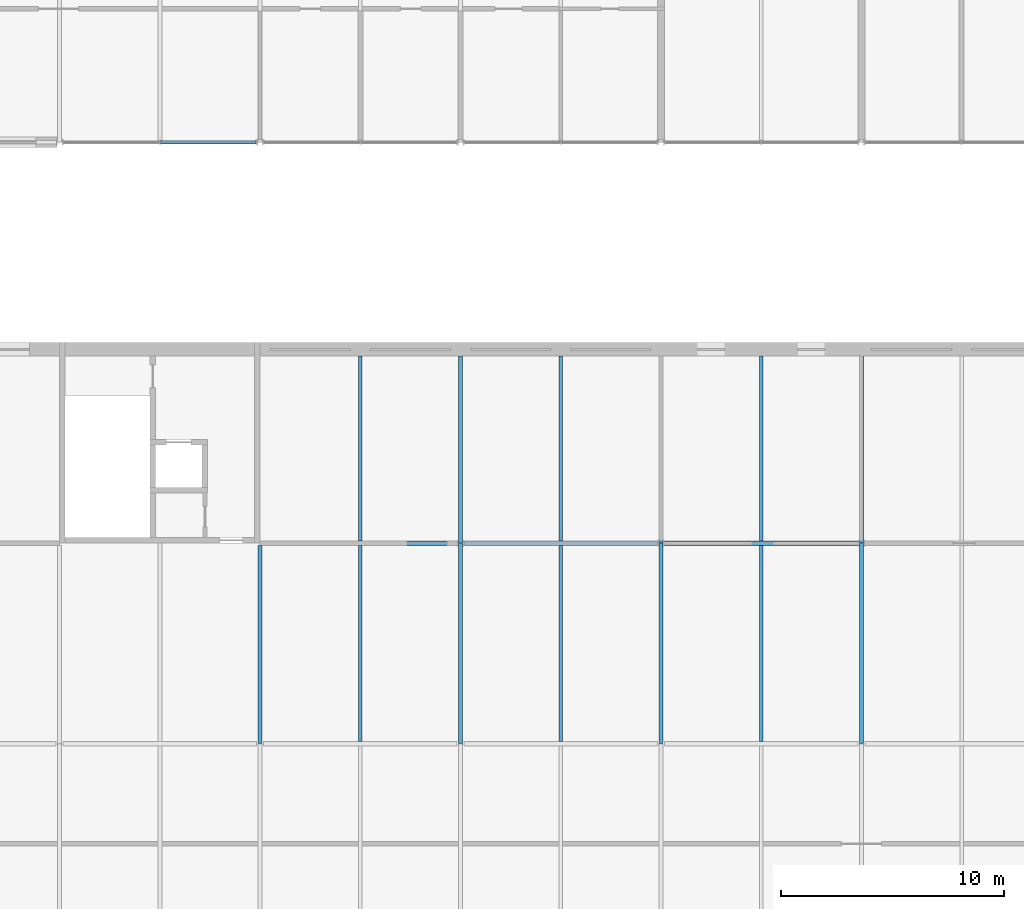
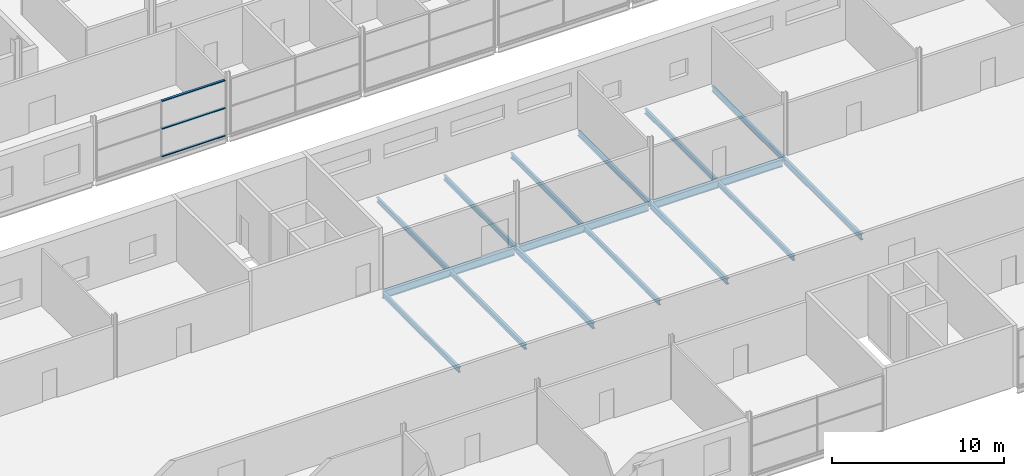
# One storey, part 62 of 138: 16 beams, 3 members, 1 element without a shape of its own.
"""IFC4 building model written with IfcOpenShell, lengths in metres."""

from ifc_helpers import new_model, si_unit, direction, frame, origin, origin_2d, place, context, subcontext, project, spatial, rectangle, i_section, extrude, material, layer, layer_set, material_profile, profile_set, type_object, element, aggregate, save


model = new_model("IFC4")

# Units and contexts
model_context = context("Model", 3, precision=1e-05, world=origin(), true_north=direction((0.0, 1.0)))
body_context = subcontext(model_context, "Body", "Model", "MODEL_VIEW")
ifc_project = project(units=[si_unit("LENGTHUNIT", "METRE"), si_unit("AREAUNIT", "SQUARE_METRE"), si_unit("VOLUMEUNIT", "CUBIC_METRE"), si_unit("PLANEANGLEUNIT", "RADIAN"), si_unit("MASSUNIT", "GRAM", prefix="KILO")], contexts=[model_context])

# Site, building, storey
site_placement = place(None, origin())
site = spatial("IfcSite", under=ifc_project, at=site_placement, CompositionType="ELEMENT")
building_placement = place(site_placement, origin())
building = spatial("IfcBuilding", under=site, at=building_placement, Name="Corbel Yard City Hall", CompositionType="ELEMENT")
storey_placement = place(building_placement, frame((0.0, 0.0, 10.5)))
storey = spatial("IfcBuildingStorey", under=building, at=storey_placement, Name="L02", CompositionType="ELEMENT", Elevation=10.5)

# Beams
ifc_material_1 = material(Name="Steel Grade 300 (300 MPa yield)", Category="steel")
ifc_material_profile_1 = material_profile(ifc_material_1, i_section(OverallWidth=0.1708984375, OverallDepth=0.35205078125, WebThickness=0.0068359375, FlangeThickness=0.009765625, at=origin_2d()), Name="360UB44.7")
ifc_profile_set_1 = profile_set([ifc_material_profile_1], Name="Steel Grade 300 (300 MPa yield)")
beam_type_1 = type_object("IfcBeamType", Name="Beam 360UB44.7", PredefinedType="BEAM", material=ifc_profile_set_1)
for number, where, z_axis, x_axis, name in (
    (1, (45.0, 72.005859375, -0.325927734375), (0.0, 1.0, 0.0), (-1.0, 0.0, 0.0), "Beam 360UB44.7 SB13 L02floor"),
    (2, (54.0, 72.005859375, -0.325927734375), (0.0, 1.0, 0.0), (-1.0, 0.0, 0.0), "Beam 360UB44.7 SB13 L02floor"),
    (3, (63.0, 72.005859375, -0.325927734375), (0.0, 1.0, 0.0), (-1.0, 0.0, 0.0), "Beam 360UB44.7 SB13 L02floor"),
):
    element("IfcBeam", number, at=place(storey_placement, frame(where, z_axis=z_axis, x_axis=x_axis)), inside=storey, type_object=beam_type_1, Name=name, PredefinedType="BEAM", context=body_context, shape_type="SweptSolid", body=[
        extrude(i_section(OverallWidth=0.1708984375, OverallDepth=0.35205078125, WebThickness=0.0068359375, FlangeThickness=0.009765625, at=origin_2d()), origin(), (0.0, 0.0, 1.0), 8.39404296875),
    ])
ifc_material_profile_2 = material_profile(ifc_material_1, i_section(OverallWidth=0.1708984375, OverallDepth=0.35595703125, WebThickness=0.00732421875, FlangeThickness=0.011474609375, at=origin_2d()), Name="360UB50.7")
ifc_profile_set_2 = profile_set([ifc_material_profile_2], Name="Steel Grade 300 (300 MPa yield)")
beam_type_2 = type_object("IfcBeamType", Name="Beam 360UB50.7", PredefinedType="BEAM", material=ifc_profile_set_2)
beam_1_placement = place(storey_placement, frame((36.0, 63.005859375, -0.327880859375), z_axis=(0.0, 1.0, 0.0), x_axis=(-1.0, 0.0, 0.0)))
element("IfcBeam", 4, at=beam_1_placement, inside=storey, type_object=beam_type_2, Name="Beam 360UB50.7 SB14 L02floor", PredefinedType="BEAM", context=body_context, shape_type="SweptSolid", body=[
    extrude(i_section(OverallWidth=0.1708984375, OverallDepth=0.35595703125, WebThickness=0.00732421875, FlangeThickness=0.011474609375, at=origin_2d()), origin(), (0.0, 0.0, 1.0), 8.8896484375),
])
ifc_material_profile_3 = material_profile(ifc_material_1, i_section(OverallWidth=0.177978515625, OverallDepth=0.403076171875, WebThickness=0.007568359375, FlangeThickness=0.010986328125, at=origin_2d()), Name="410UB53.7")
ifc_profile_set_3 = profile_set([ifc_material_profile_3], Name="Steel Grade 300 (300 MPa yield)")
beam_type_3 = type_object("IfcBeamType", Name="Beam 410UB53.7", PredefinedType="BEAM", material=ifc_profile_set_3)
for number, where, z_axis, x_axis, name in (
    (5, (45.0, 63.005859375, -0.3515625), (0.0, 1.0, 0.0), (-1.0, 0.0, 0.0), "Beam 410UB53.7 SB6 L02floor"),
    (6, (54.0, 63.005859375, -0.3515625), (0.0, 1.0, 0.0), (-1.0, 0.0, 0.0), "Beam 410UB53.7 SB6 L02floor"),
    (7, (63.0, 63.005859375, -0.3515625), (0.0, 1.0, 0.0), (-1.0, 0.0, 0.0), "Beam 410UB53.7 SB6 L02floor"),
):
    element("IfcBeam", number, at=place(storey_placement, frame(where, z_axis=z_axis, x_axis=x_axis)), inside=storey, type_object=beam_type_3, Name=name, PredefinedType="BEAM", context=body_context, shape_type="SweptSolid", body=[
        extrude(i_section(OverallWidth=0.177978515625, OverallDepth=0.403076171875, WebThickness=0.007568359375, FlangeThickness=0.010986328125, at=origin_2d()), origin(), (0.0, 0.0, 1.0), 8.98828125),
    ])
ifc_material_profile_4 = material_profile(ifc_material_1, i_section(OverallWidth=0.208984375, OverallDepth=0.528076171875, WebThickness=0.009521484375, FlangeThickness=0.01318359375, at=origin_2d()), Name="530UB82.0")
ifc_profile_set_4 = profile_set([ifc_material_profile_4], Name="Steel Grade 300 (300 MPa yield)")
beam_type_4 = type_object("IfcBeamType", Name="Girder 530UB82.0", PredefinedType="BEAM", material=ifc_profile_set_4)
beam_2_placement = place(storey_placement, frame((36.0, 72.0, -0.4140625), z_axis=(1.0, 0.0, 0.0), x_axis=(0.0, 1.0, 0.0)))
element("IfcBeam", 8, at=beam_2_placement, inside=storey, type_object=beam_type_4, Name="Girder 530UB82.0 GB3 L02floor", PredefinedType="BEAM", context=body_context, shape_type="SweptSolid", body=[
    extrude(i_section(OverallWidth=0.208984375, OverallDepth=0.528076171875, WebThickness=0.009521484375, FlangeThickness=0.01318359375, at=origin_2d()), origin(), (0.0, 0.0, 1.0), 8.842529296875),
])
for number, where, z_axis, x_axis, name in (
    (9, (45.157470703125, 72.0, -0.4140625), (1.0, 0.0, 0.0), (0.0, 1.0, 0.0), "Girder 530UB82.0 GB3 L02floor"),
    (10, (54.157470703125, 72.0, -0.4140625), (1.0, 0.0, 0.0), (0.0, 1.0, 0.0), "Girder 530UB82.0 GB3 L02floor"),
):
    element("IfcBeam", number, at=place(storey_placement, frame(where, z_axis=z_axis, x_axis=x_axis)), inside=storey, type_object=beam_type_4, Name=name, PredefinedType="BEAM", context=body_context, shape_type="SweptSolid", body=[
        extrude(i_section(OverallWidth=0.208984375, OverallDepth=0.528076171875, WebThickness=0.009521484375, FlangeThickness=0.01318359375, at=origin_2d()), origin(), (0.0, 0.0, 1.0), 8.68505859375),
    ])
ifc_material_profile_5 = material_profile(ifc_material_1, i_section(OverallWidth=0.1708984375, OverallDepth=0.35205078125, WebThickness=0.0068359375, FlangeThickness=0.009765625, at=origin_2d()), Name="360UB44.7")
ifc_profile_set_5 = profile_set([ifc_material_profile_5], Name="Steel Grade 300 (300 MPa yield)")
beam_type_5 = type_object("IfcBeamType", Name="Secondary beam 360UB44.7", PredefinedType="JOIST", material=ifc_profile_set_5)
beam_3_placement = place(storey_placement, frame((40.5, 63.1044921875, -0.325927734375), z_axis=(0.0, 1.0, 0.0), x_axis=(-1.0, 0.0, 0.0)))
element("IfcBeam", 11, at=beam_3_placement, inside=storey, type_object=beam_type_5, Name="Secondary beam 360UB44.7 SB11 L02floor", PredefinedType="JOIST", context=body_context, shape_type="SweptSolid", body=[
    extrude(i_section(OverallWidth=0.1708984375, OverallDepth=0.35205078125, WebThickness=0.0068359375, FlangeThickness=0.009765625, at=origin_2d()), origin(), (0.0, 0.0, 1.0), 8.791015625),
])
beam_4_placement = place(storey_placement, frame((40.5, 72.1044921875, -0.325927734375), z_axis=(0.0, 1.0, 0.0), x_axis=(-1.0, 0.0, 0.0)))
element("IfcBeam", 12, at=beam_4_placement, inside=storey, type_object=beam_type_5, Name="Secondary beam 360UB44.7 SB11 L02floor", PredefinedType="JOIST", context=body_context, shape_type="SweptSolid", body=[
    extrude(i_section(OverallWidth=0.1708984375, OverallDepth=0.35205078125, WebThickness=0.0068359375, FlangeThickness=0.009765625, at=origin_2d()), origin(), (0.0, 0.0, 1.0), 8.29541015625),
])
beam_5_placement = place(storey_placement, frame((49.5, 63.1044921875, -0.325927734375), z_axis=(0.0, 1.0, 0.0), x_axis=(-1.0, 0.0, 0.0)))
element("IfcBeam", 13, at=beam_5_placement, inside=storey, type_object=beam_type_5, Name="Secondary beam 360UB44.7 SB11 L02floor", PredefinedType="JOIST", context=body_context, shape_type="SweptSolid", body=[
    extrude(i_section(OverallWidth=0.1708984375, OverallDepth=0.35205078125, WebThickness=0.0068359375, FlangeThickness=0.009765625, at=origin_2d()), origin(), (0.0, 0.0, 1.0), 8.791015625),
])
beam_6_placement = place(storey_placement, frame((49.5, 72.1044921875, -0.325927734375), z_axis=(0.0, 1.0, 0.0), x_axis=(-1.0, 0.0, 0.0)))
element("IfcBeam", 14, at=beam_6_placement, inside=storey, type_object=beam_type_5, Name="Secondary beam 360UB44.7 SB11 L02floor", PredefinedType="JOIST", context=body_context, shape_type="SweptSolid", body=[
    extrude(i_section(OverallWidth=0.1708984375, OverallDepth=0.35205078125, WebThickness=0.0068359375, FlangeThickness=0.009765625, at=origin_2d()), origin(), (0.0, 0.0, 1.0), 8.29541015625),
])
beam_7_placement = place(storey_placement, frame((58.5, 63.1044921875, -0.325927734375), z_axis=(0.0, 1.0, 0.0), x_axis=(-1.0, 0.0, 0.0)))
element("IfcBeam", 15, at=beam_7_placement, inside=storey, type_object=beam_type_5, Name="Secondary beam 360UB44.7 SB11 L02floor", PredefinedType="JOIST", context=body_context, shape_type="SweptSolid", body=[
    extrude(i_section(OverallWidth=0.1708984375, OverallDepth=0.35205078125, WebThickness=0.0068359375, FlangeThickness=0.009765625, at=origin_2d()), origin(), (0.0, 0.0, 1.0), 8.791015625),
])
beam_8_placement = place(storey_placement, frame((58.5, 72.1044921875, -0.325927734375), z_axis=(0.0, 1.0, 0.0), x_axis=(-1.0, 0.0, 0.0)))
element("IfcBeam", 16, at=beam_8_placement, inside=storey, type_object=beam_type_5, Name="Secondary beam 360UB44.7 SB11 L02floor", PredefinedType="JOIST", context=body_context, shape_type="SweptSolid", body=[
    extrude(i_section(OverallWidth=0.1708984375, OverallDepth=0.35205078125, WebThickness=0.0068359375, FlangeThickness=0.009765625, at=origin_2d()), origin(), (0.0, 0.0, 1.0), 8.29541015625),
])

# Curtain wall, members
ifc_material_2 = material(Name="Aluminium extrusion", Category="aluminium")
ifc_layer = layer(ifc_material_2, 0.199951171875)
ifc_layer_set = layer_set([ifc_layer], Name="Aluminium extrusion")
curtain_wall_type = type_object("IfcCurtainWallType", Name="CW1", PredefinedType="USERDEFINED", material=ifc_layer_set)
curtain_wall_placement = place(storey_placement, origin())
curtain_wall = element("IfcCurtainWall", 17, at=curtain_wall_placement, inside=storey, type_object=curtain_wall_type, Name="Curtain wall CW1 L02", ObjectType="CURTAIN WALL", PredefinedType="USERDEFINED")
ifc_material_profile_6 = material_profile(ifc_material_2, rectangle(XDim=0.14990234375, YDim=0.06494140625, at=origin_2d()), Name="150x65")
ifc_profile_set_6 = profile_set([ifc_material_profile_6], Name="Aluminium extrusion")
member_type = type_object("IfcMemberType", Name="TR1", PredefinedType="USERDEFINED", material=ifc_profile_set_6)
member_1_placement = place(storey_placement, frame((31.532470703125, 90.0, 0.032470703125), z_axis=(1.0, 0.0, 0.0), x_axis=(0.0, 1.0, 0.0)))
member_1 = element("IfcMember", 18, at=member_1_placement, type_object=member_type, Name="CW1 transom 2.1", ObjectType="TRANSOM", PredefinedType="USERDEFINED", context=body_context, shape_type="SweptSolid", body=[
    extrude(rectangle(XDim=0.14990234375, YDim=0.06494140625, at=origin_2d()), origin(), (0.0, 0.0, 1.0), 4.275634765625),
])
member_2_placement = place(storey_placement, frame((31.532470703125, 90.0, 1.99560546875), z_axis=(1.0, 0.0, 0.0), x_axis=(0.0, 1.0, 0.0)))
member_2 = element("IfcMember", 19, at=member_2_placement, type_object=member_type, Name="CW1 transom 2.2", ObjectType="TRANSOM", PredefinedType="USERDEFINED", context=body_context, shape_type="SweptSolid", body=[
    extrude(rectangle(XDim=0.14990234375, YDim=0.06494140625, at=origin_2d()), origin(), (0.0, 0.0, 1.0), 4.275634765625),
])
member_3_placement = place(storey_placement, frame((31.532470703125, 90.0, 3.95849609375), z_axis=(1.0, 0.0, 0.0), x_axis=(0.0, 1.0, 0.0)))
member_3 = element("IfcMember", 20, at=member_3_placement, type_object=member_type, Name="CW1 transom 2.3", ObjectType="TRANSOM", PredefinedType="USERDEFINED", context=body_context, shape_type="SweptSolid", body=[
    extrude(rectangle(XDim=0.14990234375, YDim=0.06494140625, at=origin_2d()), origin(), (0.0, 0.0, 1.0), 4.275634765625),
])
aggregate(curtain_wall, [member_1, member_2, member_3])

save(model, "model.ifc")
